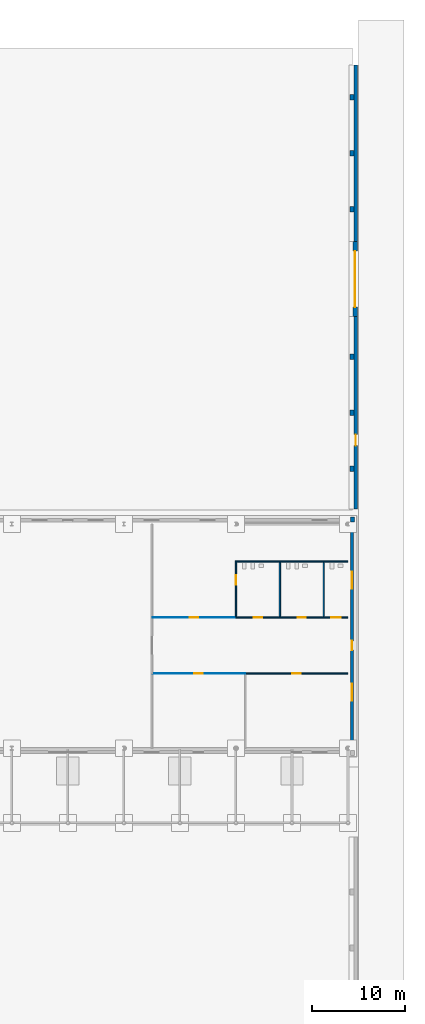
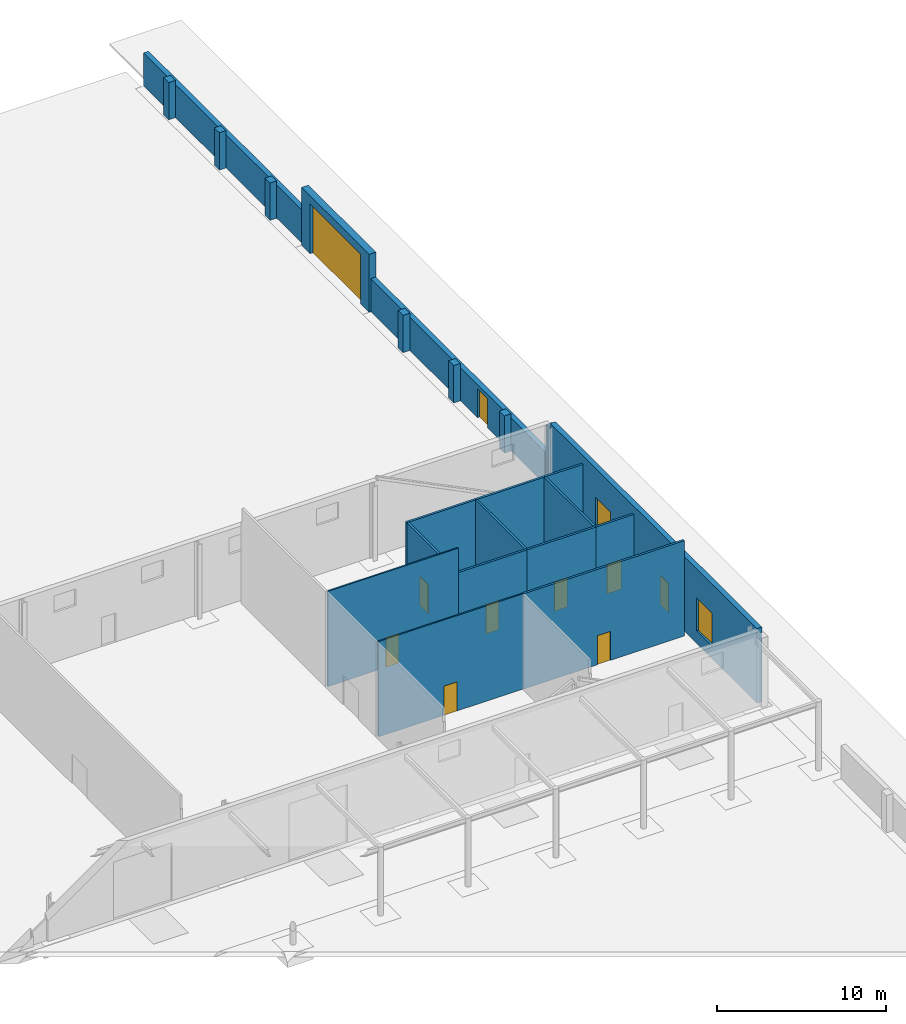
# One storey, part 93 of 132: 23 walls, 10 doors, 2 windows, 12 openings.
"""IFC4 building model written with IfcOpenShell, lengths in metres."""

import ifcopenshell
import ifcopenshell.guid

model = None  # the IFC model being written
_history = None  # IfcOwnerHistory: only IFC2X3 demands one
_inside = {}  # id of a spatial element -> (the spatial element, [elements in it])
_under = {}  # id of a project, library or spatial element -> (it, [spatial elements below it])
_declared = {}  # id of a project -> (the project, [libraries it declares])
_typed = {}  # id of a type object -> (the type object, [elements of that type])
_made_of = {}  # id of a material, layer set ... -> (it, [elements and type objects made of it])


def new_model(schema):
    """Start an empty IFC model of exactly this schema.

    Asked for "IFC4X3", IfcOpenShell would pick the latest addendum, in which some entities
    have other attributes; the version numbers below select the first issue.
    IFC2X3 requires an IfcOwnerHistory on every rooted entity: one is made here for all.
    """
    global model, _history
    if schema == "IFC4X3":
        model = ifcopenshell.file(schema_version=(4, 3, 0, 0))
    else:
        model = ifcopenshell.file(schema=schema)
    _inside.clear()
    _under.clear()
    _declared.clear()
    _typed.clear()
    _made_of.clear()
    _history = None
    if model.schema == "IFC2X3":
        org = make("IfcOrganization", Name="unknown")
        user = make(
            "IfcPersonAndOrganization",
            ThePerson=make("IfcPerson", FamilyName="unknown"),
            TheOrganization=org,
        )
        app = make(
            "IfcApplication",
            ApplicationDeveloper=org,
            Version="unknown",
            ApplicationFullName="unknown",
            ApplicationIdentifier="unknown",
        )
        _history = make(
            "IfcOwnerHistory",
            OwningUser=user,
            OwningApplication=app,
            ChangeAction="ADDED",
            CreationDate=0,
        )
    return model


def make(cls, **values):
    """One entity of the class cls with the attributes given. An attribute that is None is left unset."""
    return model.create_entity(
        cls, **{name: value for name, value in values.items() if value is not None}
    )


def rooted(cls, **values):
    """An entity with a GlobalId (a new one), such as an element, a storey or a relation."""
    return make(cls, GlobalId=ifcopenshell.guid.new(), OwnerHistory=_history, **values)


def si_unit(unit_type, name, prefix=None):
    """IfcSIUnit, for example si_unit("LENGTHUNIT", "METRE", prefix="MILLI")."""
    return make("IfcSIUnit", UnitType=unit_type, Prefix=prefix, Name=name)


def assignment(units):
    """IfcUnitAssignment: the units of a project."""
    return None if units is None else make("IfcUnitAssignment", Units=units)


def point(xyz):
    """IfcCartesianPoint."""
    return None if xyz is None else make("IfcCartesianPoint", Coordinates=xyz)


def direction(xyz):
    """IfcDirection."""
    return None if xyz is None else make("IfcDirection", DirectionRatios=xyz)


def frame(location, z_axis=None, x_axis=None):
    """IfcAxis2Placement3D, a coordinate frame: its origin and axes. An axis left out is left unset."""
    return make(
        "IfcAxis2Placement3D",
        Location=point(location),
        Axis=direction(z_axis),
        RefDirection=direction(x_axis),
    )


def frame_2d(location, x_axis=None):
    """IfcAxis2Placement2D, a coordinate frame in the plane: its origin and x axis."""
    return make(
        "IfcAxis2Placement2D", Location=point(location), RefDirection=direction(x_axis)
    )


def origin():
    """The frame at (0, 0, 0) with its axes left unset."""
    return frame((0.0, 0.0, 0.0))


def place(relative_to, where):
    """IfcLocalPlacement: puts the frame where relative to a parent placement (None: the world)."""
    return make(
        "IfcLocalPlacement", PlacementRelTo=relative_to, RelativePlacement=where
    )


def context(
    kind, dimensions, precision=None, world=None, true_north=None, identifier=None
):
    """IfcGeometricRepresentationContext, for example the 3D "Model" context."""
    return make(
        "IfcGeometricRepresentationContext",
        ContextIdentifier=identifier,
        ContextType=kind,
        CoordinateSpaceDimension=dimensions,
        Precision=precision,
        WorldCoordinateSystem=world,
        TrueNorth=true_north,
    )


def subcontext(parent, identifier, kind, view, scale=None):
    """IfcGeometricRepresentationSubContext, for example "Body" below "Model"."""
    return make(
        "IfcGeometricRepresentationSubContext",
        ContextIdentifier=identifier,
        ContextType=kind,
        ParentContext=parent,
        TargetScale=scale,
        TargetView=view,
    )


def project(units=None, contexts=None):
    """IfcProject with its units and contexts."""
    return rooted(
        "IfcProject",
        Name="project",
        RepresentationContexts=contexts,
        UnitsInContext=assignment(units),
    )


def spatial(cls, under=None, at=None, **own):
    """A site, building, storey or space (cls), placed at a placement, below another one or the project."""
    s = rooted(cls, ObjectPlacement=at, **own)
    if under is not None:
        _under.setdefault(under.id(), (under, []))[1].append(s)
    return s


def profile(cls, at=None, kind="AREA", **sizes):
    """A parametric profile (cls). Its sizes go by their IFC names, for example OverallWidth=200.0."""
    return make(cls, ProfileType=kind, Position=at, **sizes)


def rectangle(**sizes):
    """IfcRectangleProfileDef."""
    return profile("IfcRectangleProfileDef", **sizes)


def extrude(swept, where, along, depth):
    """IfcExtrudedAreaSolid: the profile swept, set in the frame where, extruded along a direction by depth."""
    return make(
        "IfcExtrudedAreaSolid",
        SweptArea=swept,
        Position=where,
        ExtrudedDirection=direction(along),
        Depth=depth,
    )


def shape(context_of_items, identifier, shape_type, items):
    """IfcShapeRepresentation: the items that make up one representation, for example the "Body"."""
    return make(
        "IfcShapeRepresentation",
        ContextOfItems=context_of_items,
        RepresentationIdentifier=identifier,
        RepresentationType=shape_type,
        Items=items,
    )


def material(Name=None, Category=None):
    """IfcMaterial."""
    return make("IfcMaterial", Name=Name, Category=Category)


def layer(
    of_material, thickness, ventilated=None, Name=None, Category=None, Priority=None
):
    """IfcMaterialLayer: one layer of a wall or slab, of a material (None: an air gap)."""
    return make(
        "IfcMaterialLayer",
        Material=of_material,
        LayerThickness=thickness,
        IsVentilated=ventilated,
        Name=Name,
        Category=Category,
        Priority=Priority,
    )


def layer_set(layers, Name=None):
    """IfcMaterialLayerSet."""
    return make("IfcMaterialLayerSet", MaterialLayers=layers, LayerSetName=Name)


def made_of(thing, what):
    """Note that an element or type object is made of a material, layer set ...; save() writes the relation."""
    if what is not None:
        _made_of.setdefault(what.id(), (what, []))[1].append(thing)
    return thing


def type_object(cls, material=None, **own):
    """A type object (cls), such as IfcWallType, which elements share."""
    return made_of(rooted(cls, **own), material)


def element(
    cls,
    number,
    at=None,
    inside=None,
    cuts=None,
    type_object=None,
    material=None,
    context=None,
    identifier="Body",
    shape_type=None,
    held_by="IfcProductDefinitionShape",
    body=None,
    shapes=None,
    **own,
):
    """One element of the class cls, such as IfcWall. Its Tag is "e" and its number.

    at: its placement. inside: the storey or other place that contains it. cuts: it is an
    opening in that element (IfcRelVoidsElement). A single representation is given by context,
    identifier, shape_type and body (its items); several are given by shapes. held_by: the class
    of the entity that holds the representations. save() writes the other relations.
    """
    e = rooted(cls, Tag="e%d" % number, ObjectPlacement=at, **own)
    if body is not None:
        shapes = [shape(context, identifier, shape_type, body)]
    if shapes is not None:
        e.Representation = make(held_by, Representations=shapes)
    if inside is not None:
        _inside.setdefault(inside.id(), (inside, []))[1].append(e)
    if cuts is not None:
        rooted(
            "IfcRelVoidsElement", RelatingBuildingElement=cuts, RelatedOpeningElement=e
        )
    if type_object is not None:
        _typed.setdefault(type_object.id(), (type_object, []))[1].append(e)
    return made_of(e, material)


def fill(opening, filler):
    """IfcRelFillsElement: the door or window that sits in an opening."""
    return rooted(
        "IfcRelFillsElement",
        RelatingOpeningElement=opening,
        RelatedBuildingElement=filler,
    )


def aggregate(whole, parts):
    """IfcRelAggregates: a whole, such as a stair, and the parts it consists of."""
    return rooted("IfcRelAggregates", RelatingObject=whole, RelatedObjects=parts)


def save(model, path):
    """Write the relations noted so far, then the file.

    IfcRelAggregates (storeys below a building ...), IfcRelContainedInSpatialStructure (elements
    in a storey), IfcRelDefinesByType, IfcRelAssociatesMaterial and IfcRelDeclares: one each for
    every whole, place, type object, material and project.
    """
    for whole, parts in _under.values():
        aggregate(whole, parts)
    for where, things in _inside.values():
        rooted(
            "IfcRelContainedInSpatialStructure",
            RelatedElements=things,
            RelatingStructure=where,
        )
    for kind, things in _typed.values():
        rooted("IfcRelDefinesByType", RelatedObjects=things, RelatingType=kind)
    for what, things in _made_of.values():
        rooted("IfcRelAssociatesMaterial", RelatedObjects=things, RelatingMaterial=what)
    for by, libraries in _declared.values():
        rooted("IfcRelDeclares", RelatingContext=by, RelatedDefinitions=libraries)
    model.write(path)


model = new_model("IFC4")

# Units and contexts
model_context = context("Model", 3, precision=1e-05, world=origin(), true_north=direction((0.0, 1.0)))
body_context = subcontext(model_context, "Body", "Model", "MODEL_VIEW")
ifc_project = project(units=[si_unit("LENGTHUNIT", "METRE"), si_unit("AREAUNIT", "SQUARE_METRE"), si_unit("VOLUMEUNIT", "CUBIC_METRE"), si_unit("PLANEANGLEUNIT", "RADIAN"), si_unit("MASSUNIT", "GRAM", prefix="KILO")], contexts=[model_context])

# Site, building, storey
site_placement = place(None, origin())
site = spatial("IfcSite", under=ifc_project, at=site_placement, CompositionType="ELEMENT")
building_placement = place(site_placement, origin())
building = spatial("IfcBuilding", under=site, at=building_placement, Name="Ravi Spectrum Wholesale Market", CompositionType="ELEMENT")
storey_placement = place(building_placement, origin())
storey = spatial("IfcBuildingStorey", under=building, at=storey_placement, Name="L00", CompositionType="ELEMENT", Elevation=0.0)

# Wall, opening, door
ifc_material_1 = material(Name="Concrete blockwork", Category="masonry")
ifc_layer_1 = layer(ifc_material_1, 0.14990234375)
ifc_layer_set_1 = layer_set([ifc_layer_1], Name="Concrete blockwork")
wall_type_1 = type_object("IfcWallType", Name="Blockwork partition 150", PredefinedType="PARTITIONING", material=ifc_layer_set_1)
wall_1_placement = place(storey_placement, frame((283.0, 170.0, 0.0), z_axis=(0.0, 0.0, 1.0), x_axis=(1.0, 0.0, 0.0)))
wall_1 = element("IfcWall", 1, at=wall_1_placement, inside=storey, type_object=wall_type_1, Name="GS-WL-L00-010", PredefinedType="PARTITIONING", context=body_context, shape_type="SweptSolid", body=[
    extrude(rectangle(XDim=11.0, YDim=0.14990234375, at=frame_2d((5.5, 0.0))), origin(), (0.0, 0.0, 1.0), 6.89990234375),
])
opening_1_placement = place(wall_1_placement, frame((5.050048828125, 0.0, 0.0)))
opening_1 = element("IfcOpeningElement", 2, at=opening_1_placement, cuts=wall_1, Name="Opening D725", PredefinedType="OPENING", context=body_context, shape_type="SweptSolid", body=[
    extrude(rectangle(XDim=0.89990234375, YDim=2.10009765625, at=frame_2d((0.449951171875, 1.050048828125))), frame((0.0, 0.0849609375, 0.0), z_axis=(0.0, -1.0, 0.0), x_axis=(1.0, 0.0, 0.0)), (0.0, 0.0, 1.0), 0.169921875),
])
ifc_material_2 = material(Name="Timber door", Category="wood")
door_type_1 = type_object("IfcDoorType", Name="Office door 900 x 2100", OperationType="SINGLE_SWING_LEFT", PredefinedType="DOOR", material=ifc_material_2)
door_1_placement = place(opening_1_placement, origin())
door_1 = element("IfcDoor", 3, at=door_1_placement, inside=storey, type_object=door_type_1, Name="Door D725", OperationType="SINGLE_SWING_RIGHT", OverallHeight=2.10009765625, OverallWidth=0.89990234375, PredefinedType="DOOR", context=body_context, shape_type="SweptSolid", body=[
    extrude(rectangle(XDim=0.89990234375, YDim=2.10009765625, at=frame_2d((0.449951171875, 1.050048828125))), frame((0.0, 0.02490234375, 0.0), z_axis=(0.0, -1.0, 0.0), x_axis=(1.0, 0.0, 0.0)), (0.0, 0.0, 1.0), 0.050048828125),
])
fill(opening_1, door_1)

wall_2_placement = place(storey_placement, frame((282.0, 176.0, 0.0), z_axis=(0.0, 0.0, 1.0), x_axis=(1.0, 0.0, 0.0)))
wall_2 = element("IfcWall", 4, at=wall_2_placement, inside=storey, type_object=wall_type_1, Name="GS-WL-L00-012", PredefinedType="PARTITIONING", context=body_context, shape_type="SweptSolid", body=[
    extrude(rectangle(XDim=4.699951171875, YDim=0.14990234375, at=frame_2d((2.35009765625, 0.0))), origin(), (0.0, 0.0, 1.0), 5.14990234375),
])
opening_2_placement = place(wall_2_placement, frame((1.89990234375, 0.0, 0.0)))
opening_2 = element("IfcOpeningElement", 5, at=opening_2_placement, cuts=wall_2, Name="Opening D710", PredefinedType="OPENING", context=body_context, shape_type="SweptSolid", body=[
    extrude(rectangle(XDim=0.89990234375, YDim=2.10009765625, at=frame_2d((0.449951171875, 1.050048828125))), frame((0.0, 0.0849609375, 0.0), z_axis=(0.0, -1.0, 0.0), x_axis=(1.0, 0.0, 0.0)), (0.0, 0.0, 1.0), 0.169921875),
])
ifc_material_3 = material(Name="Timber door", Category="wood")
door_type_2 = type_object("IfcDoorType", Name="Toilet door 900 x 2100", OperationType="SINGLE_SWING_LEFT", PredefinedType="DOOR", material=ifc_material_3)
door_2_placement = place(opening_2_placement, origin())
door_2 = element("IfcDoor", 6, at=door_2_placement, inside=storey, type_object=door_type_2, Name="Door D710", OperationType="SINGLE_SWING_RIGHT", OverallHeight=2.10009765625, OverallWidth=0.89990234375, PredefinedType="DOOR", context=body_context, shape_type="SweptSolid", body=[
    extrude(rectangle(XDim=0.89990234375, YDim=2.10009765625, at=frame_2d((0.449951171875, 1.050048828125))), frame((0.0, 0.02490234375, 0.0), z_axis=(0.0, -1.0, 0.0), x_axis=(1.0, 0.0, 0.0)), (0.0, 0.0, 1.0), 0.050048828125),
])
fill(opening_2, door_2)

wall_3_placement = place(storey_placement, frame((286.699951171875, 176.0, 0.0), z_axis=(0.0, 0.0, 1.0), x_axis=(1.0, 0.0, 0.0)))
wall_3 = element("IfcWall", 7, at=wall_3_placement, inside=storey, type_object=wall_type_1, Name="GS-WL-L00-013", PredefinedType="PARTITIONING", context=body_context, shape_type="SweptSolid", body=[
    extrude(rectangle(XDim=4.699951171875, YDim=0.14990234375, at=frame_2d((2.35009765625, 0.0))), origin(), (0.0, 0.0, 1.0), 5.14990234375),
])
opening_3_placement = place(wall_3_placement, frame((1.89990234375, 0.0, 0.0)))
opening_3 = element("IfcOpeningElement", 8, at=opening_3_placement, cuts=wall_3, Name="Opening D711", PredefinedType="OPENING", context=body_context, shape_type="SweptSolid", body=[
    extrude(rectangle(XDim=0.89990234375, YDim=2.10009765625, at=frame_2d((0.449951171875, 1.050048828125))), frame((0.0, 0.0849609375, 0.0), z_axis=(0.0, -1.0, 0.0), x_axis=(1.0, 0.0, 0.0)), (0.0, 0.0, 1.0), 0.169921875),
])
door_3_placement = place(opening_3_placement, origin())
door_3 = element("IfcDoor", 9, at=door_3_placement, inside=storey, type_object=door_type_2, Name="Door D711", OperationType="SINGLE_SWING_LEFT", OverallHeight=2.10009765625, OverallWidth=0.89990234375, PredefinedType="DOOR", context=body_context, shape_type="SweptSolid", body=[
    extrude(rectangle(XDim=0.89990234375, YDim=2.10009765625, at=frame_2d((0.449951171875, 1.050048828125))), frame((0.0, 0.02490234375, 0.0), z_axis=(0.0, -1.0, 0.0), x_axis=(1.0, 0.0, 0.0)), (0.0, 0.0, 1.0), 0.050048828125),
])
fill(opening_3, door_3)

wall_4_placement = place(storey_placement, frame((291.39990234375, 176.0, 0.0), z_axis=(0.0, 0.0, 1.0), x_axis=(1.0, 0.0, 0.0)))
wall_4 = element("IfcWall", 10, at=wall_4_placement, inside=storey, type_object=wall_type_1, Name="GS-WL-L00-014", PredefinedType="PARTITIONING", context=body_context, shape_type="SweptSolid", body=[
    extrude(rectangle(XDim=2.60009765625, YDim=0.14990234375, at=frame_2d((1.300048828125, 0.0))), origin(), (0.0, 0.0, 1.0), 5.14990234375),
])
opening_4_placement = place(wall_4_placement, frame((0.800048828125, 0.0, 0.0)))
opening_4 = element("IfcOpeningElement", 11, at=opening_4_placement, cuts=wall_4, Name="Opening D712", PredefinedType="OPENING", context=body_context, shape_type="SweptSolid", body=[
    extrude(rectangle(XDim=1.0, YDim=2.10009765625, at=frame_2d((0.5, 1.050048828125))), frame((0.0, 0.0849609375, 0.0), z_axis=(0.0, -1.0, 0.0), x_axis=(1.0, 0.0, 0.0)), (0.0, 0.0, 1.0), 0.169921875),
])
ifc_material_4 = material(Name="Timber door", Category="wood")
door_type_3 = type_object("IfcDoorType", Name="Accessible toilet door 1000 x 2100", OperationType="SINGLE_SWING_LEFT", PredefinedType="DOOR", material=ifc_material_4)
door_4_placement = place(opening_4_placement, origin())
door_4 = element("IfcDoor", 12, at=door_4_placement, inside=storey, type_object=door_type_3, Name="Door D712", OperationType="SINGLE_SWING_RIGHT", OverallHeight=2.10009765625, OverallWidth=1.0, PredefinedType="DOOR", context=body_context, shape_type="SweptSolid", body=[
    extrude(rectangle(XDim=1.0, YDim=2.10009765625, at=frame_2d((0.5, 1.050048828125))), frame((0.0, 0.02490234375, 0.0), z_axis=(0.0, -1.0, 0.0), x_axis=(1.0, 0.0, 0.0)), (0.0, 0.0, 1.0), 0.050048828125),
])
fill(opening_4, door_4)

# Walls
wall_5_placement = place(storey_placement, frame((281.925048828125, 182.0, 0.0), z_axis=(0.0, 0.0, 1.0), x_axis=(1.0, 0.0, 0.0)))
element("IfcWall", 13, at=wall_5_placement, inside=storey, type_object=wall_type_1, Name="GS-WL-L00-015", PredefinedType="PARTITIONING", context=body_context, shape_type="SweptSolid", body=[
    extrude(rectangle(XDim=4.77490234375, YDim=0.14990234375, at=frame_2d((2.387451171875, 0.0))), origin(), (0.0, 0.0, 1.0), 5.14990234375),
])
wall_6_placement = place(storey_placement, frame((286.699951171875, 182.0, 0.0), z_axis=(0.0, 0.0, 1.0), x_axis=(1.0, 0.0, 0.0)))
element("IfcWall", 14, at=wall_6_placement, inside=storey, type_object=wall_type_1, Name="GS-WL-L00-016", PredefinedType="PARTITIONING", context=body_context, shape_type="SweptSolid", body=[
    extrude(rectangle(XDim=4.699951171875, YDim=0.14990234375, at=frame_2d((2.35009765625, 0.0))), origin(), (0.0, 0.0, 1.0), 5.14990234375),
])
wall_7_placement = place(storey_placement, frame((291.39990234375, 182.0, 0.0), z_axis=(0.0, 0.0, 1.0), x_axis=(1.0, 0.0, 0.0)))
element("IfcWall", 15, at=wall_7_placement, inside=storey, type_object=wall_type_1, Name="GS-WL-L00-017", PredefinedType="PARTITIONING", context=body_context, shape_type="SweptSolid", body=[
    extrude(rectangle(XDim=2.60009765625, YDim=0.14990234375, at=frame_2d((1.300048828125, 0.0))), origin(), (0.0, 0.0, 1.0), 5.14990234375),
])

# Wall, opening, door
wall_8_placement = place(storey_placement, frame((282.0, 176.074951171875, 0.0), z_axis=(0.0, 0.0, 1.0), x_axis=(0.0, 1.0, 0.0)))
wall_8 = element("IfcWall", 16, at=wall_8_placement, inside=storey, type_object=wall_type_1, Name="GS-WL-L00-022", PredefinedType="PARTITIONING", context=body_context, shape_type="SweptSolid", body=[
    extrude(rectangle(XDim=5.85009765625, YDim=0.14990234375, at=frame_2d((2.925048828125, 0.0))), origin(), (0.0, 0.0, 1.0), 5.14990234375),
])
opening_5_placement = place(wall_8_placement, frame((4.425048828125, 0.0, 0.0), z_axis=(0.0, 0.0, 1.0), x_axis=(-1.0, 0.0, 0.0)))
opening_5 = element("IfcOpeningElement", 17, at=opening_5_placement, cuts=wall_8, Name="Opening D729", PredefinedType="OPENING", context=body_context, shape_type="SweptSolid", body=[
    extrude(rectangle(XDim=1.0, YDim=2.10009765625, at=frame_2d((0.5, 1.050048828125))), frame((0.0, 0.0849609375, 0.0), z_axis=(0.0, -1.0, 0.0), x_axis=(1.0, 0.0, 0.0)), (0.0, 0.0, 1.0), 0.169921875),
])
ifc_material_5 = material(Name="Steel door", Category="steel")
door_type_4 = type_object("IfcDoorType", Name="Pedestrian exit door 1000 x 2100", OperationType="SINGLE_SWING_LEFT", PredefinedType="DOOR", material=ifc_material_5)
door_5_placement = place(opening_5_placement, origin())
door_5 = element("IfcDoor", 18, at=door_5_placement, inside=storey, type_object=door_type_4, Name="Door D729", OperationType="SINGLE_SWING_LEFT", OverallHeight=2.10009765625, OverallWidth=1.0, PredefinedType="DOOR", context=body_context, shape_type="SweptSolid", body=[
    extrude(rectangle(XDim=1.0, YDim=2.10009765625, at=frame_2d((0.5, 1.050048828125))), frame((0.0, 0.02490234375, 0.0), z_axis=(0.0, -1.0, 0.0), x_axis=(1.0, 0.0, 0.0)), (0.0, 0.0, 1.0), 0.050048828125),
])
fill(opening_5, door_5)

# Walls
for number, where, z_axis, x_axis, name in (
    (19, (286.699951171875, 176.074951171875, 0.0), (0.0, 0.0, 1.0), (0.0, 1.0, 0.0), "GS-WL-L00-024"),
    (20, (291.39990234375, 176.074951171875, 0.0), (0.0, 0.0, 1.0), (0.0, 1.0, 0.0), "GS-WL-L00-025"),
):
    element("IfcWall", number, at=place(storey_placement, frame(where, z_axis=z_axis, x_axis=x_axis)), inside=storey, type_object=wall_type_1, Name=name, PredefinedType="PARTITIONING", context=body_context, shape_type="SweptSolid", body=[
        extrude(rectangle(XDim=5.85009765625, YDim=0.14990234375, at=frame_2d((2.925048828125, 0.0))), origin(), (0.0, 0.0, 1.0), 5.14990234375),
    ])

# Wall, opening, door
ifc_material_6 = material(Name="Facing brickwork", Category="masonry")
ifc_layer_2 = layer(ifc_material_6, 0.340087890625)
ifc_layer_set_2 = layer_set([ifc_layer_2], Name="Facing brickwork")
wall_type_2 = type_object("IfcWallType", Name="Boundary wall 340 facing brick", PredefinedType="SOLIDWALL", material=ifc_layer_set_2)
wall_9_placement = place(storey_placement, frame((294.830078125, 187.60009765625, 0.0), z_axis=(0.0, 0.0, 1.0), x_axis=(0.0, 1.0, 0.0)))
wall_9 = element("IfcWall", 21, at=wall_9_placement, inside=storey, type_object=wall_type_2, Name="ST-WL-L00-061", PredefinedType="SOLIDWALL", context=body_context, shape_type="SweptSolid", body=[
    extrude(rectangle(XDim=20.64990234375, YDim=0.340087890625, at=frame_2d((10.324951171875, 0.0))), origin(), (0.0, 0.0, 1.0), 2.39990234375),
])
opening_6_placement = place(wall_9_placement, frame((6.800048828125, 0.0, 0.0)))
opening_6 = element("IfcOpeningElement", 22, at=opening_6_placement, cuts=wall_9, Name="Opening D759", PredefinedType="OPENING", context=body_context, shape_type="SweptSolid", body=[
    extrude(rectangle(XDim=1.199951171875, YDim=2.10009765625, at=frame_2d((0.60009765625, 1.050048828125))), frame((0.0, 0.179931640625, 0.0), z_axis=(0.0, -1.0, 0.0), x_axis=(1.0, 0.0, 0.0)), (0.0, 0.0, 1.0), 0.360107421875),
])
ifc_material_7 = material(Name="Steel gate", Category="steel")
door_type_5 = type_object("IfcDoorType", Name="Pedestrian gate 1200 x 2100", OperationType="SINGLE_SWING_LEFT", PredefinedType="GATE", material=ifc_material_7)
door_6_placement = place(opening_6_placement, origin())
door_6 = element("IfcDoor", 23, at=door_6_placement, inside=storey, type_object=door_type_5, Name="Door D759", OperationType="SINGLE_SWING_LEFT", OverallHeight=2.10009765625, OverallWidth=1.199951171875, PredefinedType="GATE", context=body_context, shape_type="SweptSolid", body=[
    extrude(rectangle(XDim=1.199951171875, YDim=2.10009765625, at=frame_2d((0.60009765625, 1.050048828125))), frame((0.0, 0.02490234375, 0.0), z_axis=(0.0, -1.0, 0.0), x_axis=(1.0, 0.0, 0.0)), (0.0, 0.0, 1.0), 0.050048828125),
])
fill(opening_6, door_6)

# Wall
wall_10_placement = place(storey_placement, frame((294.830078125, 216.25, 0.0), z_axis=(0.0, 0.0, 1.0), x_axis=(0.0, 1.0, 0.0)))
element("IfcWall", 24, at=wall_10_placement, inside=storey, type_object=wall_type_2, Name="ST-WL-L00-065", PredefinedType="SOLIDWALL", context=body_context, shape_type="SweptSolid", body=[
    extrude(rectangle(XDim=18.949951171875, YDim=0.340087890625, at=frame_2d((9.47509765625, 0.0))), origin(), (0.0, 0.0, 1.0), 2.39990234375),
])

# Wall, openings, windows, door
ifc_material_8 = material(Name="Clinker brickwork", Category="masonry")
ifc_layer_3 = layer(ifc_material_8, 0.340087890625)
ifc_layer_set_3 = layer_set([ifc_layer_3], Name="Clinker brickwork")
wall_type_3 = type_object("IfcWallType", Name="Brick 340 clinker", PredefinedType="SOLIDWALL", material=ifc_layer_set_3)
wall_11_placement = place(storey_placement, frame((294.419921875, 161.75, 0.0), z_axis=(0.0, 0.0, 1.0), x_axis=(0.0, 1.0, 0.0)))
wall_11 = element("IfcWall", 25, at=wall_11_placement, inside=storey, type_object=wall_type_3, Name="GS-WL-L00-002", PredefinedType="SOLIDWALL", context=body_context, shape_type="SweptSolid", body=[
    extrude(rectangle(XDim=24.5, YDim=0.340087890625, at=frame_2d((12.25, 0.0))), origin(), (0.0, 0.0, 1.0), 5.39990234375),
])
opening_7_placement = place(wall_11_placement, frame((11.75, 0.0, 0.0), z_axis=(0.0, 0.0, 1.0), x_axis=(-1.0, 0.0, 0.0)))
opening_7 = element("IfcOpeningElement", 26, at=opening_7_placement, cuts=wall_11, Name="Opening D728", PredefinedType="OPENING", context=body_context, shape_type="SweptSolid", body=[
    extrude(rectangle(XDim=1.0, YDim=2.10009765625, at=frame_2d((0.5, 1.050048828125))), frame((0.0, 0.179931640625, 0.0), z_axis=(0.0, -1.0, 0.0), x_axis=(1.0, 0.0, 0.0)), (0.0, 0.0, 1.0), 0.360107421875),
])
opening_8_placement = place(wall_11_placement, frame((5.35009765625, 0.0, 0.89990234375)))
opening_8 = element("IfcOpeningElement", 27, at=opening_8_placement, cuts=wall_11, Name="Opening W3603", PredefinedType="OPENING", context=body_context, shape_type="SweptSolid", body=[
    extrude(rectangle(XDim=1.800048828125, YDim=2.39990234375, at=frame_2d((0.89990234375, 1.199951171875))), frame((0.0, 0.179931640625, 0.0), z_axis=(0.0, -1.0, 0.0), x_axis=(1.0, 0.0, 0.0)), (0.0, 0.0, 1.0), 0.360107421875),
])
opening_9_placement = place(wall_11_placement, frame((17.35009765625, 0.0, 0.89990234375)))
opening_9 = element("IfcOpeningElement", 28, at=opening_9_placement, cuts=wall_11, Name="Opening W3604", PredefinedType="OPENING", context=body_context, shape_type="SweptSolid", body=[
    extrude(rectangle(XDim=1.800048828125, YDim=2.39990234375, at=frame_2d((0.89990234375, 1.199951171875))), frame((0.0, 0.179931640625, 0.0), z_axis=(0.0, -1.0, 0.0), x_axis=(1.0, 0.0, 0.0)), (0.0, 0.0, 1.0), 0.360107421875),
])
ifc_material_9 = material(Name="Steel window frame", Category="steel")
window_type = type_object("IfcWindowType", Name="Ground storey office window 1800 x 2400", PartitioningType="SINGLE_PANEL", PredefinedType="WINDOW", material=ifc_material_9)
window_1_placement = place(opening_8_placement, origin())
window_1 = element("IfcWindow", 29, at=window_1_placement, inside=storey, type_object=window_type, Name="Window W3603", OverallHeight=2.39990234375, OverallWidth=1.800048828125, PartitioningType="SINGLE_PANEL", PredefinedType="WINDOW", context=body_context, shape_type="SweptSolid", body=[
    extrude(rectangle(XDim=1.800048828125, YDim=2.39990234375, at=frame_2d((0.89990234375, 1.199951171875))), frame((0.0, 0.030029296875, 0.0), z_axis=(0.0, -1.0, 0.0), x_axis=(1.0, 0.0, 0.0)), (0.0, 0.0, 1.0), 0.06005859375),
])
fill(opening_8, window_1)
window_2_placement = place(opening_9_placement, origin())
window_2 = element("IfcWindow", 30, at=window_2_placement, inside=storey, type_object=window_type, Name="Window W3604", OverallHeight=2.39990234375, OverallWidth=1.800048828125, PartitioningType="SINGLE_PANEL", PredefinedType="WINDOW", context=body_context, shape_type="SweptSolid", body=[
    extrude(rectangle(XDim=1.800048828125, YDim=2.39990234375, at=frame_2d((0.89990234375, 1.199951171875))), frame((0.0, 0.030029296875, 0.0), z_axis=(0.0, -1.0, 0.0), x_axis=(1.0, 0.0, 0.0)), (0.0, 0.0, 1.0), 0.06005859375),
])
fill(opening_9, window_2)
door_7_placement = place(opening_7_placement, origin())
door_7 = element("IfcDoor", 31, at=door_7_placement, inside=storey, type_object=door_type_4, Name="Door D728", OperationType="SINGLE_SWING_LEFT", OverallHeight=2.10009765625, OverallWidth=1.0, PredefinedType="DOOR", context=body_context, shape_type="SweptSolid", body=[
    extrude(rectangle(XDim=1.0, YDim=2.10009765625, at=frame_2d((0.5, 1.050048828125))), frame((0.0, 0.02490234375, 0.0), z_axis=(0.0, -1.0, 0.0), x_axis=(1.0, 0.0, 0.0)), (0.0, 0.0, 1.0), 0.050048828125),
])
fill(opening_7, door_7)

# Wall, opening, door
ifc_material_10 = material(Name="Clinker brickwork", Category="masonry")
ifc_layer_4 = layer(ifc_material_10, 0.4599609375)
ifc_layer_set_4 = layer_set([ifc_layer_4], Name="Clinker brickwork")
wall_type_4 = type_object("IfcWallType", Name="Brick 460 pier wall", PredefinedType="SOLIDWALL", material=ifc_layer_set_4)
wall_12_placement = place(storey_placement, frame((294.77001953125, 208.25, 0.0), z_axis=(0.0, 0.0, 1.0), x_axis=(0.0, 1.0, 0.0)))
wall_12 = element("IfcWall", 32, at=wall_12_placement, inside=storey, type_object=wall_type_4, Name="ST-WL-L00-040", PredefinedType="SOLIDWALL", context=body_context, shape_type="SweptSolid", body=[
    extrude(rectangle(XDim=8.0, YDim=0.4599609375, at=frame_2d((4.0, 0.0))), origin(), (0.0, 0.0, 1.0), 4.199951171875),
])
opening_10_placement = place(wall_12_placement, frame((1.0, 0.0, 0.0)))
opening_10 = element("IfcOpeningElement", 33, at=opening_10_placement, cuts=wall_12, Name="Opening D756", PredefinedType="OPENING", context=body_context, shape_type="SweptSolid", body=[
    extrude(rectangle(XDim=6.0, YDim=3.60009765625, at=frame_2d((3.0, 1.800048828125))), frame((0.0, 0.239990234375, 0.0), z_axis=(0.0, -1.0, 0.0), x_axis=(1.0, 0.0, 0.0)), (0.0, 0.0, 1.0), 0.47998046875),
])
ifc_material_11 = material(Name="Steel gate", Category="steel")
door_type_6 = type_object("IfcDoorType", Name="Sliding vehicle gate 6000 x 3600", OperationType="SLIDING_TO_LEFT", PredefinedType="GATE", material=ifc_material_11)
door_8_placement = place(opening_10_placement, origin())
door_8 = element("IfcDoor", 34, at=door_8_placement, inside=storey, type_object=door_type_6, Name="Gate D756", OperationType="SLIDING_TO_LEFT", OverallHeight=3.60009765625, OverallWidth=6.0, PredefinedType="GATE", context=body_context, shape_type="SweptSolid", body=[
    extrude(rectangle(XDim=6.0, YDim=3.60009765625, at=frame_2d((3.0, 1.800048828125))), frame((0.0, 0.02490234375, 0.0), z_axis=(0.0, -1.0, 0.0), x_axis=(1.0, 0.0, 0.0)), (0.0, 0.0, 1.0), 0.050048828125),
])
fill(opening_10, door_8)

# Walls
for number, where, z_axis, x_axis, name in (
    (35, (294.429931640625, 191.625, 0.0), (0.0, 0.0, 1.0), (0.0, 1.0, 0.0), "ST-WL-L00-062"),
    (36, (294.429931640625, 197.625, 0.0), (0.0, 0.0, 1.0), (0.0, 1.0, 0.0), "ST-WL-L00-063"),
    (37, (294.429931640625, 203.625, 0.0), (0.0, 0.0, 1.0), (0.0, 1.0, 0.0), "ST-WL-L00-064"),
):
    element("IfcWall", number, at=place(storey_placement, frame(where, z_axis=z_axis, x_axis=x_axis)), inside=storey, type_object=wall_type_4, Name=name, PredefinedType="SOLIDWALL", context=body_context, shape_type="SweptSolid", body=[
        extrude(rectangle(XDim=0.60009765625, YDim=0.4599609375, at=frame_2d((0.300048828125, 0.0))), origin(), (0.0, 0.0, 1.0), 2.699951171875),
    ])
for number, where, z_axis, x_axis, name in (
    (38, (294.429931640625, 219.425048828125, 0.0), (0.0, 0.0, 1.0), (0.0, 1.0, 0.0), "ST-WL-L00-066"),
    (39, (294.429931640625, 225.425048828125, 0.0), (0.0, 0.0, 1.0), (0.0, 1.0, 0.0), "ST-WL-L00-067"),
    (40, (294.429931640625, 231.425048828125, 0.0), (0.0, 0.0, 1.0), (0.0, 1.0, 0.0), "ST-WL-L00-068"),
):
    element("IfcWall", number, at=place(storey_placement, frame(where, z_axis=z_axis, x_axis=x_axis)), inside=storey, type_object=wall_type_4, Name=name, PredefinedType="SOLIDWALL", context=body_context, shape_type="SweptSolid", body=[
        extrude(rectangle(XDim=0.599853515625, YDim=0.4599609375, at=frame_2d((0.2998046875, 0.0))), origin(), (0.0, 0.0, 1.0), 2.699951171875),
    ])
ifc_material_12 = material(Name="Clinker brickwork", Category="masonry")
ifc_layer_5 = layer(ifc_material_12, 0.52490234375)
ifc_layer_set_5 = layer_set([ifc_layer_5], Name="Clinker brickwork")
wall_type_5 = type_object("IfcWallType", Name="Brick pier 525", PredefinedType="SOLIDWALL", material=ifc_layer_set_5)
wall_13_placement = place(storey_placement, frame((294.25, 186.512451171875, 0.0), z_axis=(0.0, 0.0, 1.0), x_axis=(1.0, 0.0, 0.0)))
element("IfcWall", 41, at=wall_13_placement, inside=storey, type_object=wall_type_5, Name="GS-WL-L00-007", PredefinedType="SOLIDWALL", context=body_context, shape_type="SweptSolid", body=[
    extrude(rectangle(XDim=0.455078125, YDim=0.52490234375, at=frame_2d((0.2275390625, 0.0))), origin(), (0.0, 0.0, 1.0), 5.010009765625),
])

# Wall, opening, door
ifc_material_13 = material(Name="Gypsum board partition")
ifc_layer_6 = layer(ifc_material_13, 0.10009765625)
ifc_layer_set_6 = layer_set([ifc_layer_6], Name="Gypsum board partition")
wall_type_6 = type_object("IfcWallType", Name="Drywall partition 100", PredefinedType="PARTITIONING", material=ifc_layer_set_6)
wall_14_placement = place(storey_placement, frame((273.074951171875, 170.0, 0.0), z_axis=(0.0, 0.0, 1.0), x_axis=(1.0, 0.0, 0.0)))
wall_14 = element("IfcWall", 42, at=wall_14_placement, inside=storey, type_object=wall_type_6, Name="GS-WL-L00-009", PredefinedType="PARTITIONING", context=body_context, shape_type="SweptSolid", body=[
    extrude(rectangle(XDim=9.925048828125, YDim=0.10009765625, at=frame_2d((4.96240234375, 0.0))), origin(), (0.0, 0.0, 1.0), 6.89990234375),
])
opening_11_placement = place(wall_14_placement, frame((4.47509765625, 0.0, 0.0)))
opening_11 = element("IfcOpeningElement", 43, at=opening_11_placement, cuts=wall_14, Name="Opening D723", PredefinedType="OPENING", context=body_context, shape_type="SweptSolid", body=[
    extrude(rectangle(XDim=0.89990234375, YDim=2.10009765625, at=frame_2d((0.449951171875, 1.050048828125))), frame((0.0, 0.06005859375, 0.0), z_axis=(0.0, -1.0, 0.0), x_axis=(1.0, 0.0, 0.0)), (0.0, 0.0, 1.0), 0.1201171875),
])
door_9_placement = place(opening_11_placement, origin())
door_9 = element("IfcDoor", 44, at=door_9_placement, inside=storey, type_object=door_type_1, Name="Door D723", OperationType="SINGLE_SWING_RIGHT", OverallHeight=2.10009765625, OverallWidth=0.89990234375, PredefinedType="DOOR", context=body_context, shape_type="SweptSolid", body=[
    extrude(rectangle(XDim=0.89990234375, YDim=2.10009765625, at=frame_2d((0.449951171875, 1.050048828125))), frame((0.0, 0.02490234375, 0.0), z_axis=(0.0, -1.0, 0.0), x_axis=(1.0, 0.0, 0.0)), (0.0, 0.0, 1.0), 0.050048828125),
])
fill(opening_11, door_9)

wall_15_placement = place(storey_placement, frame((273.074951171875, 176.0, 0.0), z_axis=(0.0, 0.0, 1.0), x_axis=(1.0, 0.0, 0.0)))
wall_15 = element("IfcWall", 45, at=wall_15_placement, inside=storey, type_object=wall_type_6, Name="GS-WL-L00-011", PredefinedType="PARTITIONING", context=body_context, shape_type="SweptSolid", body=[
    extrude(rectangle(XDim=8.925048828125, YDim=0.10009765625, at=frame_2d((4.46240234375, 0.0))), origin(), (0.0, 0.0, 1.0), 6.89990234375),
])
opening_12_placement = place(wall_15_placement, frame((3.97509765625, 0.0, 0.0)))
opening_12 = element("IfcOpeningElement", 46, at=opening_12_placement, cuts=wall_15, Name="Opening D727", PredefinedType="OPENING", context=body_context, shape_type="SweptSolid", body=[
    extrude(rectangle(XDim=0.89990234375, YDim=2.10009765625, at=frame_2d((0.449951171875, 1.050048828125))), frame((0.0, 0.06005859375, 0.0), z_axis=(0.0, -1.0, 0.0), x_axis=(1.0, 0.0, 0.0)), (0.0, 0.0, 1.0), 0.1201171875),
])
door_10_placement = place(opening_12_placement, origin())
door_10 = element("IfcDoor", 47, at=door_10_placement, inside=storey, type_object=door_type_1, Name="Door D727", OperationType="SINGLE_SWING_LEFT", OverallHeight=2.10009765625, OverallWidth=0.89990234375, PredefinedType="DOOR", context=body_context, shape_type="SweptSolid", body=[
    extrude(rectangle(XDim=0.89990234375, YDim=2.10009765625, at=frame_2d((0.449951171875, 1.050048828125))), frame((0.0, 0.02490234375, 0.0), z_axis=(0.0, -1.0, 0.0), x_axis=(1.0, 0.0, 0.0)), (0.0, 0.0, 1.0), 0.050048828125),
])
fill(opening_12, door_10)

save(model, "model.ifc")
